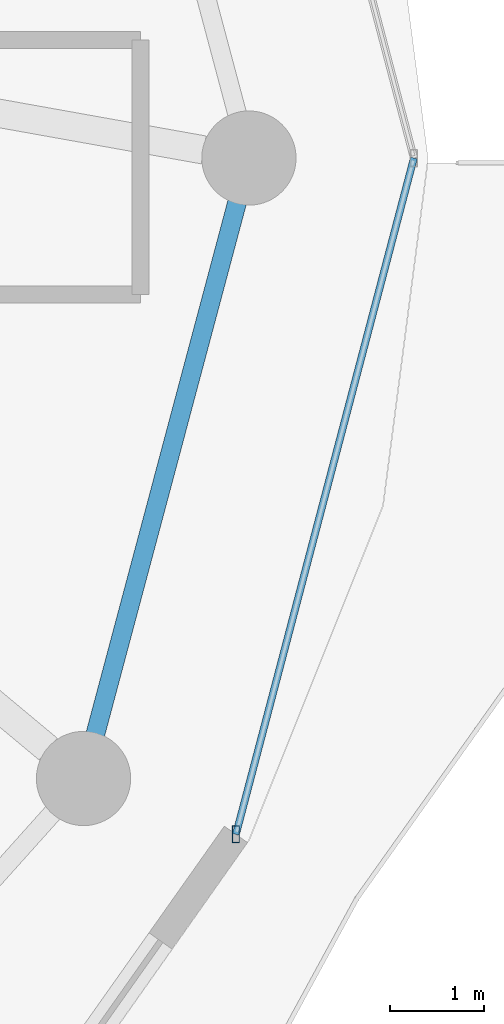
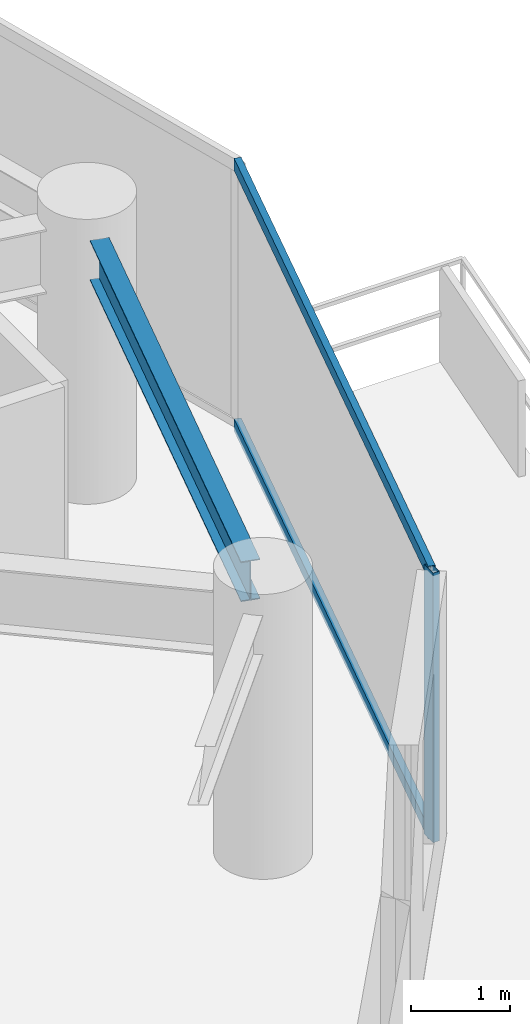
# One storey, part 13 of 30: 3 members, 1 beam, 1 element without a shape of its own.
"""IFC4 building model written with IfcOpenShell, lengths in metres."""

from ifc_helpers import new_model, si_unit, direction, frame, origin, origin_2d, place, context, subcontext, project, spatial, hollow_rectangle, i_section, extrude, material, material_profile, profile_set, type_object, element, aggregate, save


model = new_model("IFC4")

# Units and contexts
model_context = context("Model", 3, precision=1e-05, world=origin(), true_north=direction((0.0, 1.0)))
body_context = subcontext(model_context, "Body", "Model", "MODEL_VIEW")
ifc_project = project(units=[si_unit("LENGTHUNIT", "METRE"), si_unit("AREAUNIT", "SQUARE_METRE"), si_unit("VOLUMEUNIT", "CUBIC_METRE"), si_unit("PLANEANGLEUNIT", "RADIAN"), si_unit("MASSUNIT", "GRAM", prefix="KILO")], contexts=[model_context])

# Site, building, storey
site_placement = place(None, origin())
site = spatial("IfcSite", under=ifc_project, at=site_placement, CompositionType="ELEMENT")
building_placement = place(site_placement, origin())
building = spatial("IfcBuilding", under=site, at=building_placement, Name="Vorneva Point Tower", CompositionType="ELEMENT")
storey_placement = place(building_placement, frame((0.0, 0.0, 153.60009765625)))
storey = spatial("IfcBuildingStorey", under=building, at=storey_placement, Name="L41", CompositionType="ELEMENT", Elevation=153.60009765625)

# Beam
ifc_material_1 = material(Name="Steel S355", Category="steel")
ifc_material_profile_1 = material_profile(ifc_material_1, i_section(OverallWidth=0.199951171875, OverallDepth=0.491943359375, WebThickness=0.0087890625, FlangeThickness=0.011962890625, at=origin_2d()), Name="50B1")
ifc_profile_set_1 = profile_set([ifc_material_profile_1], Name="Steel S355")
beam_type = type_object("IfcBeamType", Name="BM-SPN-50B1", PredefinedType="SPANDREL", material=ifc_profile_set_1)
beam_placement = place(storey_placement, frame((59.42041015625, 19.886474609375, 2.993896484375), z_axis=(0.257550804648, 0.966264758245, 0.0), x_axis=(-0.966264758245, 0.257550804648, 0.0)))
element("IfcBeam", 1, at=beam_placement, inside=storey, type_object=beam_type, Name="L41 Perimeter Spandrel Ring Beam 16", PredefinedType="SPANDREL", context=body_context, shape_type="SweptSolid", body=[
    extrude(i_section(OverallWidth=0.199951171875, OverallDepth=0.491943359375, WebThickness=0.0087890625, FlangeThickness=0.011962890625, at=origin_2d()), origin(), (0.0, 0.0, 1.0), 5.842041015625),
])

# Curtain wall, members
ifc_material_2 = material(Name="Pale anodised aluminium", Category="aluminium")
curtain_wall_type = type_object("IfcCurtainWallType", Name="CW-RES-SYS", PredefinedType="NOTDEFINED", material=ifc_material_2)
curtain_wall_placement = place(storey_placement, origin())
curtain_wall = element("IfcCurtainWall", 2, at=curtain_wall_placement, inside=storey, type_object=curtain_wall_type, Name="L41 Unitised Curtain Wall CW-L41-R01", PredefinedType="NOTDEFINED")
ifc_material_profile_2 = material_profile(ifc_material_2, hollow_rectangle(XDim=0.074951171875, YDim=0.179931640625, WallThickness=0.00390625, at=origin_2d()), Name="AL-MUL 180x75x4")
ifc_profile_set_2 = profile_set([ifc_material_profile_2], Name="Pale anodised aluminium")
member_type_1 = type_object("IfcMemberType", Name="CW-MUL-180", PredefinedType="MULLION", material=ifc_profile_set_2)
member_1_placement = place(storey_placement, frame((60.912109375, 18.82470703125, -0.0400390625), z_axis=(0.0, 0.0, 1.0), x_axis=(1.0, 0.0, 0.0)))
member_1 = element("IfcMember", 3, at=member_1_placement, type_object=member_type_1, Name="CW-L41-R01 Mullion 01", PredefinedType="MULLION", context=body_context, shape_type="SweptSolid", body=[
    extrude(hollow_rectangle(XDim=0.074951171875, YDim=0.179931640625, WallThickness=0.00390625, at=origin_2d()), origin(), (0.0, 0.0, 1.0), 3.31005859375),
])
ifc_material_profile_3 = material_profile(ifc_material_2, hollow_rectangle(XDim=0.074951171875, YDim=0.14990234375, WallThickness=0.00390625, at=origin_2d()), Name="AL-TRN 150x75x4")
ifc_profile_set_3 = profile_set([ifc_material_profile_3], Name="Pale anodised aluminium")
member_type_2 = type_object("IfcMemberType", Name="CW-TRN-150", PredefinedType="USERDEFINED", material=ifc_profile_set_3)
member_2_placement = place(storey_placement, frame((60.912109375, 18.82470703125, 0.02001953125), z_axis=(0.254456046293, 0.967084339913, 0.0), x_axis=(-0.967084339913, 0.254456046293, 0.0)))
member_2 = element("IfcMember", 4, at=member_2_placement, type_object=member_type_2, Name="CW-L41-R01 Transom 01.1", ObjectType="TRANSOM", PredefinedType="USERDEFINED", context=body_context, shape_type="SweptSolid", body=[
    extrude(hollow_rectangle(XDim=0.074951171875, YDim=0.14990234375, WallThickness=0.00390625, at=origin_2d()), origin(), (0.0, 0.0, 1.0), 7.41943359375),
])
member_3_placement = place(storey_placement, frame((60.912109375, 18.82470703125, 3.219970703125), z_axis=(0.254456046293, 0.967084339913, 0.0), x_axis=(-0.967084339913, 0.254456046293, 0.0)))
member_3 = element("IfcMember", 5, at=member_3_placement, type_object=member_type_2, Name="CW-L41-R01 Transom 01.2", ObjectType="TRANSOM", PredefinedType="USERDEFINED", context=body_context, shape_type="SweptSolid", body=[
    extrude(hollow_rectangle(XDim=0.074951171875, YDim=0.14990234375, WallThickness=0.00390625, at=origin_2d()), origin(), (0.0, 0.0, 1.0), 7.41943359375),
])
aggregate(curtain_wall, [member_1, member_2, member_3])

save(model, "model.ifc")
